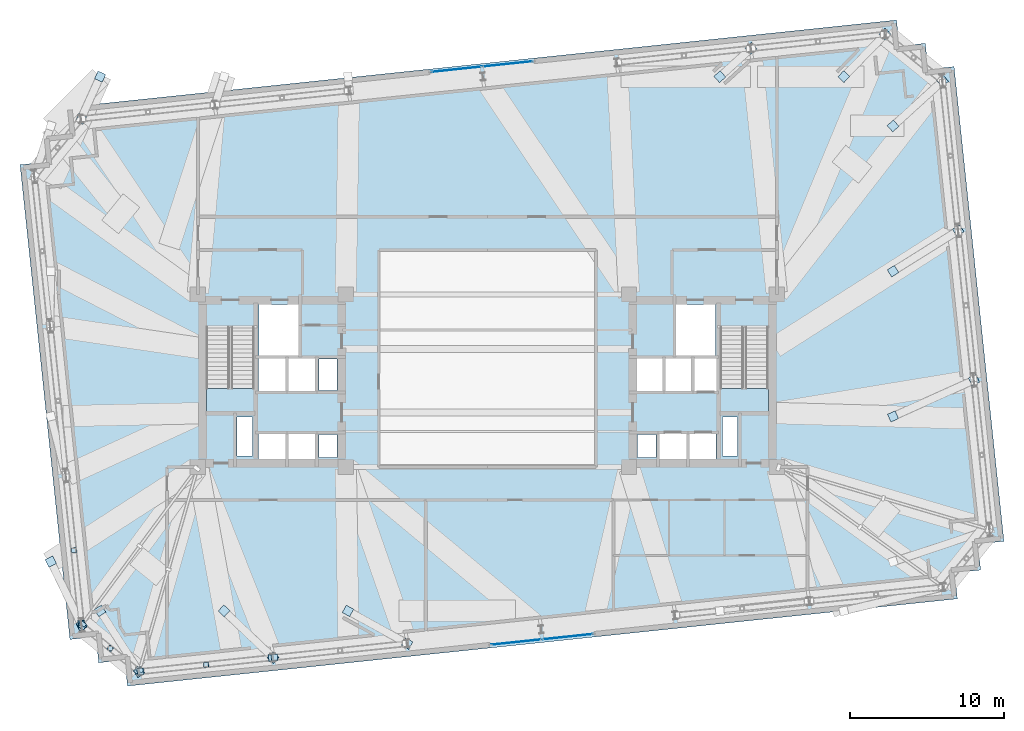
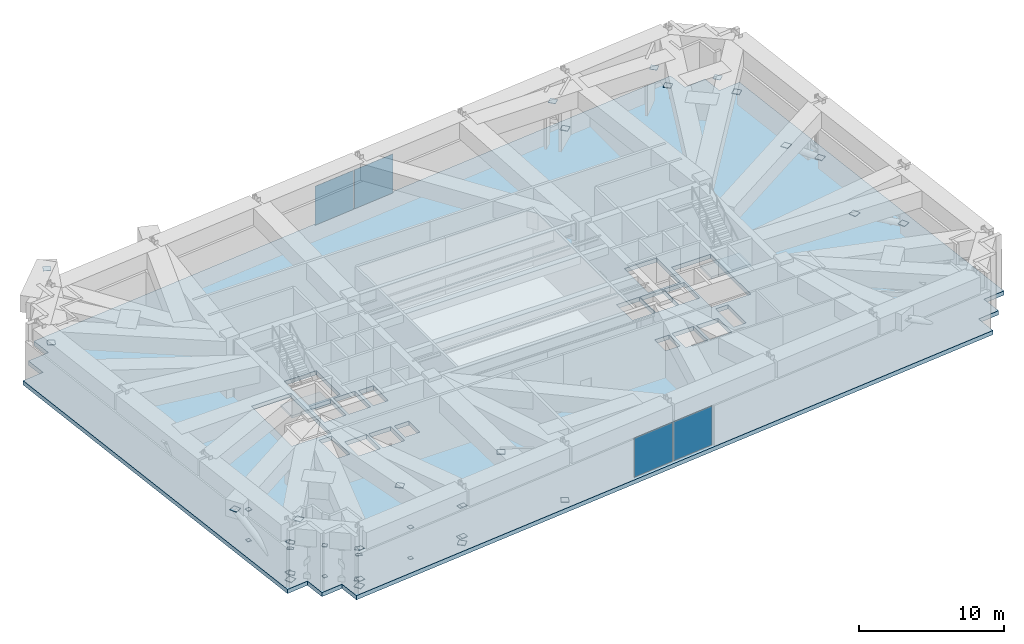
# One storey, part 16 of 23: 44 plates, 3 slabs, 4 elements without a shape of their own.
"""IFC4 building model written with IfcOpenShell, lengths in metres."""

from ifc_helpers import new_model, si_unit, direction, frame, origin, origin_2d, place, context, subcontext, project, spatial, polyline, rectangle, outline, extrude, material, layer, layer_set, type_object, element, aggregate, save


model = new_model("IFC4")

# Units and contexts
model_context = context("Model", 3, precision=1e-05, world=origin(), true_north=direction((0.0, 1.0)))
body_context = subcontext(model_context, "Body", "Model", "MODEL_VIEW")
ifc_project = project(units=[si_unit("LENGTHUNIT", "METRE"), si_unit("AREAUNIT", "SQUARE_METRE"), si_unit("VOLUMEUNIT", "CUBIC_METRE"), si_unit("PLANEANGLEUNIT", "RADIAN"), si_unit("MASSUNIT", "GRAM", prefix="KILO")], contexts=[model_context])

# Site, building, storey
site_placement = place(None, origin())
site = spatial("IfcSite", under=ifc_project, at=site_placement, CompositionType="ELEMENT")
building_placement = place(site_placement, origin())
building = spatial("IfcBuilding", under=site, at=building_placement, Name="Qobustan Lattice House", CompositionType="ELEMENT")
storey_placement = place(building_placement, frame((0.0, 0.0, 125.89990234375)))
storey = spatial("IfcBuildingStorey", under=building, at=storey_placement, Name="L35", CompositionType="ELEMENT", Elevation=125.89990234375)

# Curtain wall, plates
ifc_material_1 = material(Name="Anodised aluminium and low-E glazing", Category="aluminium")
ifc_layer_1 = layer(ifc_material_1, 0.219970703125)
ifc_layer_set_1 = layer_set([ifc_layer_1], Name="Anodised aluminium and low-E glazing")
curtain_wall_type = type_object("IfcCurtainWallType", Name="CW-TRN-01", PredefinedType="USERDEFINED", material=ifc_layer_set_1)
curtain_wall_1_placement = place(storey_placement, origin())
curtain_wall_1 = element("IfcCurtainWall", 1, at=curtain_wall_1_placement, inside=storey, type_object=curtain_wall_type, Name="L35 N transfer sky-lobby curtain wall", ObjectType="CURTAIN WALL", PredefinedType="USERDEFINED")
ifc_material_2 = material(Name="Clear low-E laminated glass", Category="glass")
ifc_layer_2 = layer(ifc_material_2, 0.031982421875)
ifc_layer_set_2 = layer_set([ifc_layer_2], Name="Clear low-E laminated glass")
plate_type_1 = type_object("IfcPlateType", Name="CWP-VISION-32", PredefinedType="CURTAIN_PANEL", material=ifc_layer_set_2)
plate_1_placement = place(storey_placement, frame((-2.025390625, 20.221923828125, 0.065185546875), z_axis=(0.0, 0.0, 1.0), x_axis=(0.994520189308, 0.104544694075, 0.0)))
plate_1 = element("IfcPlate", 2, at=plate_1_placement, type_object=plate_type_1, Name="CW-TR panel 1.1", PredefinedType="CURTAIN_PANEL", context=body_context, shape_type="SweptSolid", body=[
    extrude(rectangle(XDim=3.280029296875, YDim=0.031982421875, at=origin_2d()), origin(), (0.0, 0.0, 1.0), 3.27490234375),
])
plate_2_placement = place(storey_placement, frame((1.316162109375, 20.5732421875, 0.065185546875), z_axis=(0.0, 0.0, 1.0), x_axis=(0.994520189308, 0.104544694075, 0.0)))
plate_2 = element("IfcPlate", 3, at=plate_2_placement, type_object=plate_type_1, Name="CW-TR panel 2.1", PredefinedType="CURTAIN_PANEL", context=body_context, shape_type="SweptSolid", body=[
    extrude(rectangle(XDim=3.280029296875, YDim=0.031982421875, at=origin_2d()), origin(), (0.0, 0.0, 1.0), 3.27490234375),
])
aggregate(curtain_wall_1, [plate_1, plate_2])

curtain_wall_2_placement = place(storey_placement, origin())
curtain_wall_2 = element("IfcCurtainWall", 4, at=curtain_wall_2_placement, inside=storey, type_object=curtain_wall_type, Name="L35 S transfer sky-lobby curtain wall", ObjectType="CURTAIN WALL", PredefinedType="USERDEFINED")
plate_3_placement = place(storey_placement, frame((5.225341796875, -16.621826171875, 0.065185546875), z_axis=(0.0, 0.0, 1.0), x_axis=(-0.994520189308, -0.104544694075, 0.0)))
plate_3 = element("IfcPlate", 5, at=plate_3_placement, type_object=plate_type_1, Name="CW-TR panel 1.1", PredefinedType="CURTAIN_PANEL", context=body_context, shape_type="SweptSolid", body=[
    extrude(rectangle(XDim=3.280029296875, YDim=0.031982421875, at=origin_2d()), origin(), (0.0, 0.0, 1.0), 3.27490234375),
])
plate_4_placement = place(storey_placement, frame((1.8837890625, -16.97314453125, 0.065185546875), z_axis=(0.0, 0.0, 1.0), x_axis=(-0.994520189308, -0.104544694075, 0.0)))
plate_4 = element("IfcPlate", 6, at=plate_4_placement, type_object=plate_type_1, Name="CW-TR panel 2.1", PredefinedType="CURTAIN_PANEL", context=body_context, shape_type="SweptSolid", body=[
    extrude(rectangle(XDim=3.280029296875, YDim=0.031982421875, at=origin_2d()), origin(), (0.0, 0.0, 1.0), 3.27490234375),
])
aggregate(curtain_wall_2, [plate_3, plate_4])

# Plates
ifc_material_3 = material(Name="Steel S355", Category="steel")
ifc_layer_3 = layer(ifc_material_3, 0.030029296875)
ifc_layer_set_3 = layer_set([ifc_layer_3], Name="Steel S355")
plate_type_2 = type_object("IfcPlateType", Name="PLT-CAP-25", PredefinedType="SHEET", material=ifc_layer_set_3)
for number, where, z_axis, x_axis, name in (
    (7, (-22.52490234375, -18.885009765625, 0.53515625), (0.0, 0.0, 1.0), (0.994523719583, 0.10451110557, 0.0), "L35 TT2 belt truss bottom chord S1-S2 end cap plate 1"),
    (8, (-14.011962890625, -17.990478515625, 0.53515625), (0.0, 0.0, 1.0), (0.994523719583, 0.10451110557, 0.0), "L35 TT2 belt truss bottom chord S1-S2 end cap plate 2"),
):
    element("IfcPlate", number, at=place(storey_placement, frame(where, z_axis=z_axis, x_axis=x_axis)), inside=storey, type_object=plate_type_2, Name=name, PredefinedType="SHEET", context=body_context, shape_type="SweptSolid", body=[
        extrude(rectangle(XDim=0.43994140625, YDim=0.43994140625, at=origin_2d()), origin(), (0.0, 0.0, 1.0), 0.030029296875),
    ])
for number, where, z_axis, x_axis, name in (
    (9, (-22.52490234375, -18.885009765625, 3.125), (0.0, 0.0, 1.0), (0.994523719583, 0.10451110557, 0.0), "L35 TT2 belt truss top chord S1-S2 end cap plate 1"),
    (10, (-14.011962890625, -17.990478515625, 3.125), (0.0, 0.0, 1.0), (0.994523719583, 0.10451110557, 0.0), "L35 TT2 belt truss top chord S1-S2 end cap plate 2"),
):
    element("IfcPlate", number, at=place(storey_placement, frame(where, z_axis=z_axis, x_axis=x_axis)), inside=storey, type_object=plate_type_2, Name=name, PredefinedType="SHEET", context=body_context, shape_type="SweptSolid", body=[
        extrude(rectangle(XDim=0.389892578125, YDim=0.389892578125, at=origin_2d()), origin(), (0.0, 0.0, 1.0), 0.030029296875),
    ])
plate_5_placement = place(storey_placement, frame((-18.26416015625, -18.437255859375, 3.12744140625), z_axis=(0.0, 0.0, 1.0), x_axis=(0.994523719583, 0.10451110557, 0.0)))
element("IfcPlate", 11, at=plate_5_placement, inside=storey, type_object=plate_type_2, Name="L35 TT2 belt truss web diagonal S1-S2 A end cap plate 2", PredefinedType="SHEET", context=body_context, shape_type="SweptSolid", body=[
    extrude(rectangle(XDim=0.340087890625, YDim=0.340087890625, at=origin_2d()), origin(), (0.0, 0.0, 1.0), 0.030029296875),
])
plate_6_placement = place(storey_placement, frame((-18.2685546875, -18.437744140625, 0.5302734375), z_axis=(0.0, 0.0, 1.0), x_axis=(1.0, 0.0, 0.0)))
element("IfcPlate", 12, at=plate_6_placement, inside=storey, type_object=plate_type_2, Name="L35 TT2 belt truss vertical post S1-S2 end cap plate 1", PredefinedType="SHEET", context=body_context, shape_type="SweptSolid", body=[
    extrude(rectangle(XDim=0.2900390625, YDim=0.2900390625, at=origin_2d()), origin(), (0.0, 0.0, 1.0), 0.030029296875),
])
plate_7_placement = place(storey_placement, frame((-13.822998046875, -17.970458984375, 0.53515625), z_axis=(0.0, 0.0, 1.0), x_axis=(0.994521895368, 0.104528463268, 0.0)))
element("IfcPlate", 13, at=plate_7_placement, inside=storey, type_object=plate_type_2, Name="L35 TT2 belt truss bottom chord S2-S3 end cap plate 1", PredefinedType="SHEET", context=body_context, shape_type="SweptSolid", body=[
    extrude(rectangle(XDim=0.43994140625, YDim=0.43994140625, at=origin_2d()), origin(), (0.0, 0.0, 1.0), 0.030029296875),
])
plate_8_placement = place(storey_placement, frame((-13.822998046875, -17.970458984375, 3.125), z_axis=(0.0, 0.0, 1.0), x_axis=(0.994521895368, 0.104528463268, 0.0)))
element("IfcPlate", 14, at=plate_8_placement, inside=storey, type_object=plate_type_2, Name="L35 TT2 belt truss top chord S2-S3 end cap plate 1", PredefinedType="SHEET", context=body_context, shape_type="SweptSolid", body=[
    extrude(rectangle(XDim=0.389892578125, YDim=0.389892578125, at=origin_2d()), origin(), (0.0, 0.0, 1.0), 0.030029296875),
])
plate_9_placement = place(storey_placement, frame((-26.3662109375, -15.7744140625, 0.53515625), z_axis=(0.0, 0.0, 1.0), x_axis=(0.104528463268, -0.994521895368, 0.0)))
element("IfcPlate", 15, at=plate_9_placement, inside=storey, type_object=plate_type_2, Name="L35 TT2 belt truss bottom chord W3-W4 end cap plate 2", PredefinedType="SHEET", context=body_context, shape_type="SweptSolid", body=[
    extrude(rectangle(XDim=0.43994140625, YDim=0.43994140625, at=origin_2d()), origin(), (0.0, 0.0, 1.0), 0.030029296875),
])
plate_10_placement = place(storey_placement, frame((-26.3662109375, -15.7744140625, 3.125), z_axis=(0.0, 0.0, 1.0), x_axis=(0.104528463268, -0.994521895368, 0.0)))
element("IfcPlate", 16, at=plate_10_placement, inside=storey, type_object=plate_type_2, Name="L35 TT2 belt truss top chord W3-W4 end cap plate 2", PredefinedType="SHEET", context=body_context, shape_type="SweptSolid", body=[
    extrude(rectangle(XDim=0.389892578125, YDim=0.389892578125, at=origin_2d()), origin(), (0.0, 0.0, 1.0), 0.030029296875),
])
plate_11_placement = place(storey_placement, frame((-26.8662109375, -11.016845703125, 3.12744140625), z_axis=(0.0, 0.0, 1.0), x_axis=(0.104528463268, -0.994521895368, 0.0)))
element("IfcPlate", 17, at=plate_11_placement, inside=storey, type_object=plate_type_2, Name="L35 TT2 belt truss web diagonal W3-W4 A end cap plate 2", PredefinedType="SHEET", context=body_context, shape_type="SweptSolid", body=[
    extrude(rectangle(XDim=0.340087890625, YDim=0.340087890625, at=origin_2d()), origin(), (0.0, 0.0, 1.0), 0.030029296875),
])
plate_12_placement = place(storey_placement, frame((-26.86669921875, -11.012451171875, 0.5302734375), z_axis=(0.0, 0.0, 1.0), x_axis=(1.0, 0.0, 0.0)))
element("IfcPlate", 18, at=plate_12_placement, inside=storey, type_object=plate_type_2, Name="L35 TT2 belt truss vertical post W3-W4 end cap plate 1", PredefinedType="SHEET", context=body_context, shape_type="SweptSolid", body=[
    extrude(rectangle(XDim=0.2900390625, YDim=0.2900390625, at=origin_2d()), origin(), (0.0, 0.0, 1.0), 0.030029296875),
])
for number, where, z_axis, x_axis, name in (
    (19, (-26.282470703125, -15.9287109375, 0.53515625), (0.0, 0.0, 1.0), (0.777134977626, -0.62933395471, 0.0), "L35 TT2 belt truss bottom chord W4-S1 end cap plate 1"),
    (20, (-22.693359375, -18.835205078125, 0.53515625), (0.0, 0.0, 1.0), (0.777134977626, -0.62933395471, 0.0), "L35 TT2 belt truss bottom chord W4-S1 end cap plate 2"),
):
    element("IfcPlate", number, at=place(storey_placement, frame(where, z_axis=z_axis, x_axis=x_axis)), inside=storey, type_object=plate_type_2, Name=name, PredefinedType="SHEET", context=body_context, shape_type="SweptSolid", body=[
        extrude(rectangle(XDim=0.43994140625, YDim=0.43994140625, at=origin_2d()), origin(), (0.0, 0.0, 1.0), 0.030029296875),
    ])
for number, where, z_axis, x_axis, name in (
    (21, (-26.282470703125, -15.9287109375, 3.125), (0.0, 0.0, 1.0), (0.777134977626, -0.62933395471, 0.0), "L35 TT2 belt truss top chord W4-S1 end cap plate 1"),
    (22, (-22.693359375, -18.835205078125, 3.125), (0.0, 0.0, 1.0), (0.777134977626, -0.62933395471, 0.0), "L35 TT2 belt truss top chord W4-S1 end cap plate 2"),
):
    element("IfcPlate", number, at=place(storey_placement, frame(where, z_axis=z_axis, x_axis=x_axis)), inside=storey, type_object=plate_type_2, Name=name, PredefinedType="SHEET", context=body_context, shape_type="SweptSolid", body=[
        extrude(rectangle(XDim=0.389892578125, YDim=0.389892578125, at=origin_2d()), origin(), (0.0, 0.0, 1.0), 0.030029296875),
    ])
plate_13_placement = place(storey_placement, frame((-24.4853515625, -17.384033203125, 3.12890625), z_axis=(0.0, 0.0, 1.0), x_axis=(0.777123993558, -0.629347518178, 0.0)))
element("IfcPlate", 23, at=plate_13_placement, inside=storey, type_object=plate_type_2, Name="L35 TT2 belt truss web diagonal W4-S1 A end cap plate 2", PredefinedType="SHEET", context=body_context, shape_type="SweptSolid", body=[
    extrude(rectangle(XDim=0.340087890625, YDim=0.340087890625, at=origin_2d()), origin(), (0.0, 0.0, 1.0), 0.030029296875),
])
plate_14_placement = place(storey_placement, frame((-24.48779296875, -17.382080078125, 0.5302734375), z_axis=(0.0, 0.0, 1.0), x_axis=(1.0, 0.0, 0.0)))
element("IfcPlate", 24, at=plate_14_placement, inside=storey, type_object=plate_type_2, Name="L35 TT2 belt truss vertical post W4-S1 end cap plate 1", PredefinedType="SHEET", context=body_context, shape_type="SweptSolid", body=[
    extrude(rectangle(XDim=0.2900390625, YDim=0.2900390625, at=origin_2d()), origin(), (0.0, 0.0, 1.0), 0.030029296875),
])
for number, where, z_axis, x_axis, name in (
    (25, (-22.617431640625, -18.898193359375, -0.00341796875), (0.0, 0.0, 1.0), (-0.539917163716, 0.841718157298, 0.0), "L35 TT2 column transfer strut S1 end cap plate 1"),
    (26, (-25.152099609375, -14.94677734375, 4.1083984375), (0.0, 0.0, 1.0), (-0.539917163716, 0.841718157298, 0.0), "L35 TT2 column transfer strut S1 end cap plate 2"),
    (27, (-13.914794921875, -17.98291015625, -0.00341796875), (0.0, 0.0, 1.0), (-0.72420796884, 0.68958162524, 0.0), "L35 TT2 column transfer strut S2 end cap plate 1"),
    (28, (-17.1025390625, -14.947509765625, 4.1083984375), (0.0, 0.0, 1.0), (-0.72420796884, 0.68958162524, 0.0), "L35 TT2 column transfer strut S2 end cap plate 2"),
    (29, (-5.212158203125, -17.0673828125, -0.00341796875), (0.0, 0.0, 1.0), (-0.875574157759, 0.483083734217, 0.0), "L35 TT2 column transfer strut S3 end cap plate 1"),
    (30, (-9.05322265625, -14.9482421875, 4.1083984375), (0.0, 0.0, 1.0), (-0.875574157759, 0.483083734217, 0.0), "L35 TT2 column transfer strut S3 end cap plate 2"),
    (31, (31.601806640625, 0.04443359375, -0.0029296875), (0.0, 0.0, 1.0), (-0.912062871228, -0.410050385839, 0.0), "L35 TT2 column transfer strut E2 end cap plate 1"),
    (32, (26.34619140625, -2.318359375, 4.10791015625), (0.0, 0.0, 1.0), (-0.912062871228, -0.410050385839, 0.0), "L35 TT2 column transfer strut E2 end cap plate 2"),
    (33, (30.580322265625, 9.7578125, -0.0029296875), (0.0, 0.0, 1.0), (-0.848242264745, -0.529608402785, 0.0), "L35 TT2 column transfer strut E3 end cap plate 1"),
    (34, (26.3466796875, 7.11474609375, 4.1083984375), (0.0, 0.0, 1.0), (-0.848242264745, -0.529608402785, 0.0), "L35 TT2 column transfer strut E3 end cap plate 2"),
    (35, (29.558837890625, 19.471435546875, -0.00341796875), (0.0, 0.0, 1.0), (-0.73945487537, -0.673206125412, 0.0), "L35 TT2 column transfer strut E4 end cap plate 1"),
    (36, (26.347412109375, 16.547607421875, 4.1083984375), (0.0, 0.0, 1.0), (-0.73945487537, -0.673206125412, 0.0), "L35 TT2 column transfer strut E4 end cap plate 2"),
    (37, (25.822021484375, 22.497314453125, -0.00341796875), (0.0, 0.0, 1.0), (-0.697177615199, -0.716898439715, 0.0), "L35 TT2 column transfer strut N1 end cap plate 1"),
    (38, (23.147705078125, 19.74755859375, 4.10888671875), (0.0, 0.0, 1.0), (-0.697177615199, -0.716898439715, 0.0), "L35 TT2 column transfer strut N1 end cap plate 2"),
    (39, (17.119384765625, 21.582275390625, -0.00390625), (0.0, 0.0, 1.0), (-0.740593532486, -0.671953286799, 0.0), "L35 TT2 column transfer strut N2 end cap plate 1"),
    (40, (15.097900390625, 19.748046875, 4.109375), (0.0, 0.0, 1.0), (-0.740593532486, -0.671953286799, 0.0), "L35 TT2 column transfer strut N2 end cap plate 2"),
    (41, (-26.39404296875, 17.00439453125, -0.00390625), (0.0, 0.0, 1.0), (0.412754721957, 0.910842214383, 0.0), "L35 TT2 column transfer strut N7 end cap plate 1"),
    (42, (-25.148681640625, 19.752685546875, 4.10888671875), (0.0, 0.0, 1.0), (0.412754721957, 0.910842214383, 0.0), "L35 TT2 column transfer strut N7 end cap plate 2"),
    (43, (-26.3544921875, -15.872314453125, -0.00341796875), (0.0, 0.0, 1.0), (-0.435686735883, 0.900098365833, 0.0), "L35 TT2 column transfer strut W4 end cap plate 1"),
    (44, (-28.3515625, -11.74658203125, 4.1083984375), (0.0, 0.0, 1.0), (-0.435686735883, 0.900098365833, 0.0), "L35 TT2 column transfer strut W4 end cap plate 2"),
):
    element("IfcPlate", number, at=place(storey_placement, frame(where, z_axis=z_axis, x_axis=x_axis)), inside=storey, type_object=plate_type_2, Name=name, PredefinedType="SHEET", context=body_context, shape_type="SweptSolid", body=[
        extrude(rectangle(XDim=0.548095703125, YDim=0.548095703125, at=origin_2d()), origin(), (0.0, 0.0, 1.0), 0.030029296875),
    ])
for number, where, z_axis, x_axis, name in (
    (45, (-26.2880859375, -15.7763671875, 2.53515625), (0.0, 0.0, 1.0), (-0.592674086339, -0.805442379927, 0.0), "L35 TT2 outrigger chord OUT-WS end cap plate 2"),
    (46, (-22.587890625, -18.784423828125, 2.53515625), (0.0, 0.0, 1.0), (-0.276123858755, -0.961122060212, 0.0), "L35 TT2 outrigger chord OUT-WN end cap plate 2"),
):
    element("IfcPlate", number, at=place(storey_placement, frame(where, z_axis=z_axis, x_axis=x_axis)), inside=storey, type_object=plate_type_2, Name=name, PredefinedType="SHEET", context=body_context, shape_type="SweptSolid", body=[
        extrude(rectangle(XDim=0.239990234375, YDim=0.43994140625, at=origin_2d()), origin(), (0.0, 0.0, 1.0), 0.030029296875),
    ])

# Slab
ifc_material_4 = material(Name="Concrete C50/60", Category="concrete")
ifc_layer_4 = layer(ifc_material_4, 0.35009765625)
ifc_layer_set_4 = layer_set([ifc_layer_4], Name="Concrete C50/60")
slab_type_1 = type_object("IfcSlabType", Name="SLB-FLR-350", PredefinedType="FLOOR", material=ifc_layer_set_4)
slab_1_placement = place(storey_placement, frame((0.0, 0.0, -0.349853515625)))
element("IfcSlab", 47, at=slab_1_placement, inside=storey, type_object=slab_type_1, Name="L35 structural floor slab", PredefinedType="FLOOR", context=body_context, shape_type="SweptSolid", body=[
    extrude(outline(polyline([(-23.3759765625, -19.8291015625), (30.527099609375, -14.163818359375), (30.349365234375, -12.47314453125), (32.0400390625, -12.29541015625), (31.8623046875, -10.604736328125), (33.552978515625, -10.427001953125), (30.312744140625, 20.4033203125), (28.6220703125, 20.2255859375), (28.4443359375, 21.916259765625), (26.753662109375, 21.738525390625), (26.575927734375, 23.42919921875), (-27.3271484375, 17.763671875), (-27.1494140625, 16.072998046875), (-28.840087890625, 15.8955078125), (-28.662353515625, 14.20458984375), (-30.35302734375, 14.027099609375), (-27.11279296875, -16.80322265625), (-25.422119140625, -16.62548828125), (-25.244384765625, -18.316162109375), (-23.5537109375, -18.138427734375), (-23.3759765625, -19.8291015625)]), holes=[polyline([(-18.25, -2.050048828125), (-18.25, 3.489990234375), (-15.1298828125, 3.489990234375), (-15.1298828125, -2.050048828125), (-18.25, -2.050048828125)]), polyline([(15.1298828125, -2.050048828125), (15.1298828125, 3.489990234375), (18.25, 3.489990234375), (18.25, -2.050048828125), (15.1298828125, -2.050048828125)]), polyline([(-14.820068359375, 1.64990234375), (-14.820068359375, 4.9599609375), (-12.25, 4.9599609375), (-12.25, 1.64990234375), (-14.820068359375, 1.64990234375)]), polyline([(12.25, 1.64990234375), (12.25, 4.9599609375), (14.820068359375, 4.9599609375), (14.820068359375, 1.64990234375), (12.25, 1.64990234375)]), polyline([(-16.260009765625, -4.8798828125), (-16.260009765625, -2.360107421875), (-15.260009765625, -2.360107421875), (-15.260009765625, -4.8798828125), (-16.260009765625, -4.8798828125)]), polyline([(15.260009765625, -4.8798828125), (15.260009765625, -2.360107421875), (16.260009765625, -2.360107421875), (16.260009765625, -4.8798828125), (15.260009765625, -4.8798828125)]), polyline([(-14.85009765625, -5.35009765625), (-14.85009765625, -3.419921875), (-13.1201171875, -3.419921875), (-13.1201171875, -5.35009765625), (-14.85009765625, -5.35009765625)]), polyline([(-12.919921875, -5.35009765625), (-12.919921875, -3.419921875), (-11.179931640625, -3.419921875), (-11.179931640625, -5.35009765625), (-12.919921875, -5.35009765625)]), polyline([(-14.85009765625, -0.679931640625), (-14.85009765625, 1.47998046875), (-13.1201171875, 1.47998046875), (-13.1201171875, -0.679931640625), (-14.85009765625, -0.679931640625)]), polyline([(-12.919921875, -0.679931640625), (-12.919921875, 1.47998046875), (-11.179931640625, 1.47998046875), (-11.179931640625, -0.679931640625), (-12.919921875, -0.679931640625)]), polyline([(-10.93994140625, -5.0), (-10.93994140625, -3.47998046875), (-9.760009765625, -3.47998046875), (-9.760009765625, -5.0), (-10.93994140625, -5.0)]), polyline([(-10.93994140625, -0.6201171875), (-10.93994140625, 1.419921875), (-9.760009765625, 1.419921875), (-9.760009765625, -0.6201171875), (-10.93994140625, -0.6201171875)]), polyline([(11.179931640625, -5.35009765625), (11.179931640625, -3.419921875), (12.919921875, -3.419921875), (12.919921875, -5.35009765625), (11.179931640625, -5.35009765625)]), polyline([(13.1201171875, -5.35009765625), (13.1201171875, -3.419921875), (14.85009765625, -3.419921875), (14.85009765625, -5.35009765625), (13.1201171875, -5.35009765625)]), polyline([(9.760009765625, -5.0), (9.760009765625, -3.47998046875), (10.93994140625, -3.47998046875), (10.93994140625, -5.0), (9.760009765625, -5.0)]), polyline([(13.360107421875, -0.679931640625), (13.360107421875, 1.47998046875), (14.97998046875, 1.47998046875), (14.97998046875, -0.679931640625), (13.360107421875, -0.679931640625)]), polyline([(9.6201171875, -0.679931640625), (9.6201171875, 1.47998046875), (11.43994140625, 1.47998046875), (11.43994140625, -0.679931640625), (9.6201171875, -0.679931640625)]), polyline([(11.5, -0.679931640625), (11.5, 1.47998046875), (13.320068359375, 1.47998046875), (13.320068359375, -0.679931640625), (11.5, -0.679931640625)])]), origin(), (0.0, 0.0, 1.0), 0.349853515625),
])

# Stair, slab
ifc_material_5 = material(Name="Concrete C40/50", Category="concrete")
stair_type = type_object("IfcStairType", Name="STR-CORE-DOGLEG", PredefinedType="HALF_TURN_STAIR", material=ifc_material_5)
stair_1_placement = place(storey_placement, origin())
stair_1 = element("IfcStair", 48, at=stair_1_placement, inside=storey, type_object=stair_type, Name="L35 West protected exit stair ST-W1", PredefinedType="HALF_TURN_STAIR")
ifc_material_6 = material(Name="Concrete C40/50", Category="concrete")
ifc_layer_5 = layer(ifc_material_6, 0.199951171875)
ifc_layer_set_5 = layer_set([ifc_layer_5], Name="Concrete C40/50")
slab_type_2 = type_object("IfcSlabType", Name="SLB-LANDING-200", PredefinedType="LANDING", material=ifc_layer_set_5)
slab_2_placement = place(storey_placement, frame((0.0, 0.0, 2.35009765625)))
slab_2 = element("IfcSlab", 49, at=slab_2_placement, type_object=slab_type_2, Name="ST-W1 landing 1", PredefinedType="LANDING", context=body_context, shape_type="SweptSolid", body=[
    extrude(outline(polyline([(-18.25, -0.489990234375), (-18.25, -2.050048828125), (-15.1298828125, -2.050048828125), (-15.1298828125, -0.489990234375), (-18.25, -0.489990234375)])), origin(), (0.0, 0.0, 1.0), 0.199951171875),
])
aggregate(stair_1, [slab_2])

stair_2_placement = place(storey_placement, origin())
stair_2 = element("IfcStair", 50, at=stair_2_placement, inside=storey, type_object=stair_type, Name="L35 East protected exit stair ST-E1", PredefinedType="HALF_TURN_STAIR")
slab_3_placement = place(storey_placement, frame((0.0, 0.0, 2.35009765625)))
slab_3 = element("IfcSlab", 51, at=slab_3_placement, type_object=slab_type_2, Name="ST-E1 landing 1", PredefinedType="LANDING", context=body_context, shape_type="SweptSolid", body=[
    extrude(outline(polyline([(15.1298828125, -0.489990234375), (15.1298828125, -2.050048828125), (18.25, -2.050048828125), (18.25, -0.489990234375), (15.1298828125, -0.489990234375)])), origin(), (0.0, 0.0, 1.0), 0.199951171875),
])
aggregate(stair_2, [slab_3])

save(model, "model.ifc")
